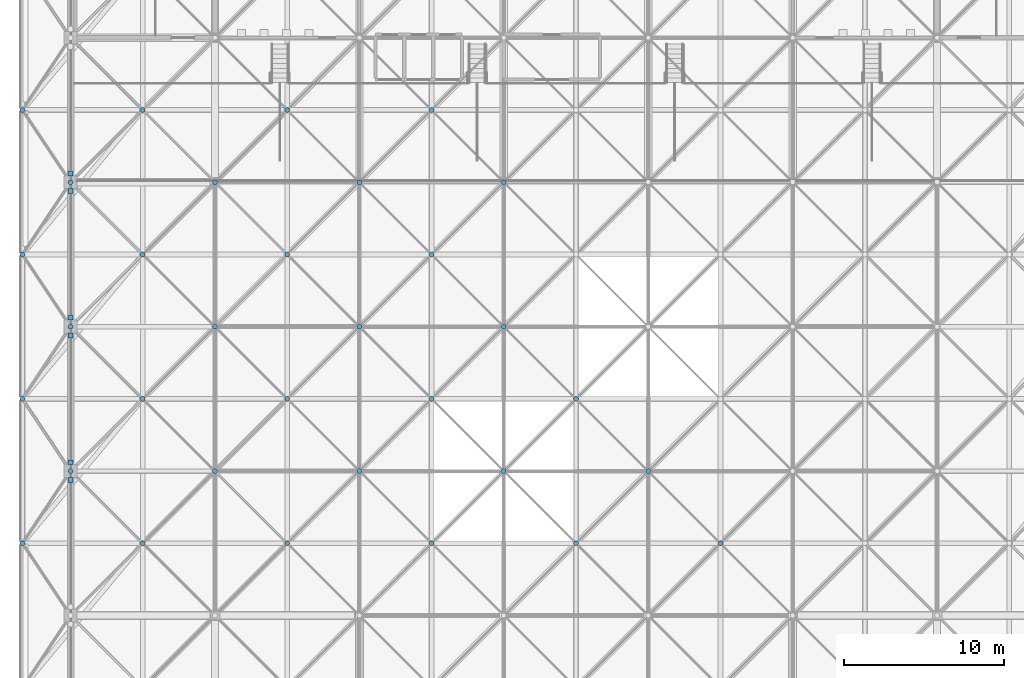
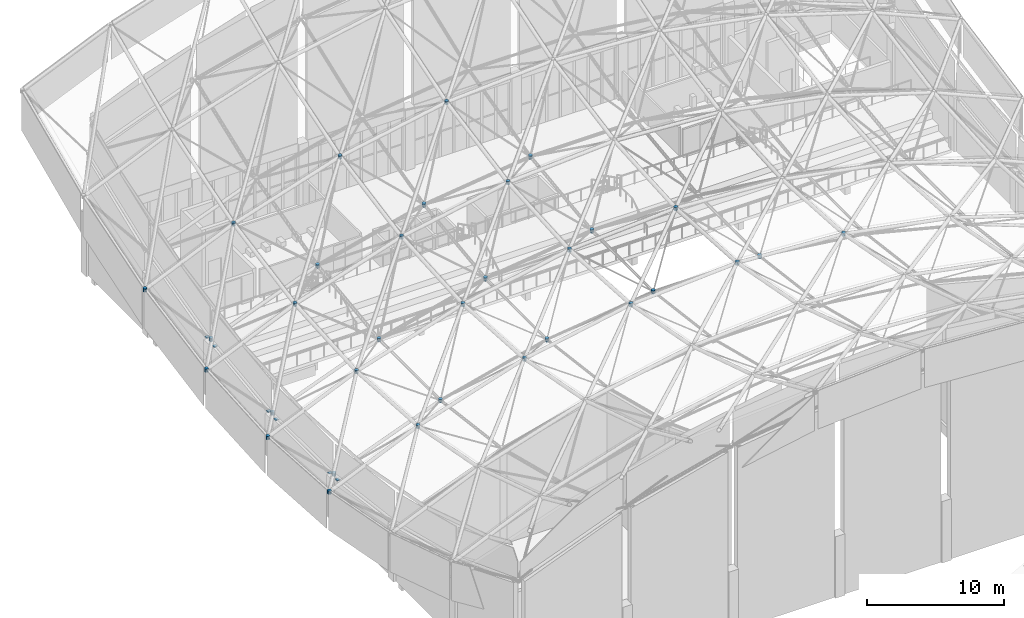
# One storey, part 379 of 437: 38 discrete accessories.
"""IFC4 building model written with IfcOpenShell, lengths in metres."""

from ifc_helpers import new_model, si_unit, direction, frame, origin, origin_2d, place, context, subcontext, project, spatial, polyline, rectangle, outline, extrude, material, layer, layer_set, type_object, element, save


model = new_model("IFC4")

# Units and contexts
model_context = context("Model", 3, precision=1e-05, world=origin(), true_north=direction((0.0, 1.0)))
body_context = subcontext(model_context, "Body", "Model", "MODEL_VIEW")
ifc_project = project(units=[si_unit("LENGTHUNIT", "METRE"), si_unit("AREAUNIT", "SQUARE_METRE"), si_unit("VOLUMEUNIT", "CUBIC_METRE"), si_unit("PLANEANGLEUNIT", "RADIAN"), si_unit("MASSUNIT", "GRAM", prefix="KILO")], contexts=[model_context])

# Site, building, storey
site_placement = place(None, origin())
site = spatial("IfcSite", under=ifc_project, at=site_placement, CompositionType="ELEMENT")
building_placement = place(site_placement, origin())
building = spatial("IfcBuilding", under=site, at=building_placement, Name="Opaline Strait Convention Centre", CompositionType="ELEMENT")
storey_placement = place(building_placement, frame((0.0, 0.0, 11.5)))
storey = spatial("IfcBuildingStorey", under=building, at=storey_placement, Name="L02", CompositionType="ELEMENT", Elevation=11.5)

# Discrete accessories
ifc_material_1 = material(Name="Steel Q355B", Category="steel")
ifc_layer = layer(ifc_material_1, 0.02001953125)
ifc_layer_set = layer_set([ifc_layer], Name="Steel Q355B")
discrete_accessory_type_1 = type_object("IfcDiscreteAccessoryType", Name="Cast-in anchor plate 300 x 300 x 20", PredefinedType="ANCHORPLATE", material=ifc_layer_set)
for number, where, z_axis, x_axis, name in (
    (1, (9.0, 143.4501953125, 3.671875), (0.0, 0.0, 1.0), (1.0, 0.0, 0.0), "Cast-in anchor plate at PWB1 web 1-4ac"),
    (2, (9.0, 144.5498046875, 3.608642578125), (0.0, 0.0, 1.0), (1.0, 0.0, 0.0), "Cast-in anchor plate at PWB1 web 1-4ad"),
    (3, (9.0, 152.4501953125, 3.608642578125), (0.0, 0.0, 1.0), (1.0, 0.0, 0.0), "Cast-in anchor plate at PWB1 web 1-5ac"),
    (4, (9.0, 153.5498046875, 3.671875), (0.0, 0.0, 1.0), (1.0, 0.0, 0.0), "Cast-in anchor plate at PWB1 web 1-5ad"),
    (5, (9.0, 161.4501953125, 4.70068359375), (0.0, 0.0, 1.0), (1.0, 0.0, 0.0), "Cast-in anchor plate at PWB1 web 1-6ac"),
    (6, (9.0, 162.5498046875, 4.854736328125), (0.0, 0.0, 1.0), (1.0, 0.0, 0.0), "Cast-in anchor plate at PWB1 web 1-6ad"),
):
    element("IfcDiscreteAccessory", number, at=place(storey_placement, frame(where, z_axis=z_axis, x_axis=x_axis)), inside=storey, type_object=discrete_accessory_type_1, Name=name, PredefinedType="ANCHORPLATE", context=body_context, shape_type="SweptSolid", body=[
        extrude(rectangle(XDim=0.300048828125, YDim=0.300048828125, at=origin_2d()), origin(), (0.0, 0.0, 1.0), 0.02001953125),
    ])
ifc_material_2 = material(Name="Cast steel ZG300-500H (300 MPa)", Category="steel")
discrete_accessory_type_2 = type_object("IfcDiscreteAccessoryType", Name="Shell node hub D300 cast steel", PredefinedType="USERDEFINED", material=ifc_material_2)
discrete_accessory_1_placement = place(storey_placement, frame((0.0, 0.0, 3.682861328125)))
element("IfcDiscreteAccessory", 7, at=discrete_accessory_1_placement, inside=storey, type_object=discrete_accessory_type_2, Name="PNH1 node hub B1-4", ObjectType="NODE HUB", PredefinedType="USERDEFINED", context=body_context, shape_type="SweptSolid", body=[
    extrude(outline(polyline([(9.14990234375, 144.02978515625), (9.127197265625, 144.0849609375), (9.0849609375, 144.127197265625), (9.02978515625, 144.14990234375), (8.97021484375, 144.14990234375), (8.9150390625, 144.127197265625), (8.872802734375, 144.0849609375), (8.85009765625, 144.02978515625), (8.85009765625, 143.97021484375), (8.872802734375, 143.9150390625), (8.9150390625, 143.872802734375), (8.97021484375, 143.85009765625), (9.02978515625, 143.85009765625), (9.0849609375, 143.872802734375), (9.127197265625, 143.9150390625), (9.14990234375, 143.97021484375), (9.14990234375, 144.02978515625)])), origin(), (0.0, 0.0, 1.0), 0.31005859375),
])
discrete_accessory_2_placement = place(storey_placement, frame((0.0, 0.0, 3.682861328125)))
element("IfcDiscreteAccessory", 8, at=discrete_accessory_2_placement, inside=storey, type_object=discrete_accessory_type_2, Name="PNH1 node hub B1-5", ObjectType="NODE HUB", PredefinedType="USERDEFINED", context=body_context, shape_type="SweptSolid", body=[
    extrude(outline(polyline([(9.14990234375, 153.02978515625), (9.127197265625, 153.0849609375), (9.0849609375, 153.127197265625), (9.02978515625, 153.14990234375), (8.97021484375, 153.14990234375), (8.9150390625, 153.127197265625), (8.872802734375, 153.0849609375), (8.85009765625, 153.02978515625), (8.85009765625, 152.97021484375), (8.872802734375, 152.9150390625), (8.9150390625, 152.872802734375), (8.97021484375, 152.85009765625), (9.02978515625, 152.85009765625), (9.0849609375, 152.872802734375), (9.127197265625, 152.9150390625), (9.14990234375, 152.97021484375), (9.14990234375, 153.02978515625)])), origin(), (0.0, 0.0, 1.0), 0.31005859375),
])
discrete_accessory_3_placement = place(storey_placement, frame((0.0, 0.0, 4.82568359375)))
element("IfcDiscreteAccessory", 9, at=discrete_accessory_3_placement, inside=storey, type_object=discrete_accessory_type_2, Name="PNH1 node hub B1-6", ObjectType="NODE HUB", PredefinedType="USERDEFINED", context=body_context, shape_type="SweptSolid", body=[
    extrude(outline(polyline([(9.14990234375, 162.02978515625), (9.127197265625, 162.0849609375), (9.0849609375, 162.127197265625), (9.02978515625, 162.14990234375), (8.97021484375, 162.14990234375), (8.9150390625, 162.127197265625), (8.872802734375, 162.0849609375), (8.85009765625, 162.02978515625), (8.85009765625, 161.97021484375), (8.872802734375, 161.9150390625), (8.9150390625, 161.872802734375), (8.97021484375, 161.85009765625), (9.02978515625, 161.85009765625), (9.0849609375, 161.872802734375), (9.127197265625, 161.9150390625), (9.14990234375, 161.97021484375), (9.14990234375, 162.02978515625)])), origin(), (0.0, 0.0, 1.0), 0.31005859375),
])
discrete_accessory_4_placement = place(storey_placement, frame((0.0, 0.0, 7.111328125)))
element("IfcDiscreteAccessory", 10, at=discrete_accessory_4_placement, inside=storey, type_object=discrete_accessory_type_2, Name="PNH1 node hub B2-4", ObjectType="NODE HUB", PredefinedType="USERDEFINED", context=body_context, shape_type="SweptSolid", body=[
    extrude(outline(polyline([(18.14990234375, 144.02978515625), (18.127197265625, 144.0849609375), (18.0849609375, 144.127197265625), (18.02978515625, 144.14990234375), (17.97021484375, 144.14990234375), (17.9150390625, 144.127197265625), (17.872802734375, 144.0849609375), (17.85009765625, 144.02978515625), (17.85009765625, 143.97021484375), (17.872802734375, 143.9150390625), (17.9150390625, 143.872802734375), (17.97021484375, 143.85009765625), (18.02978515625, 143.85009765625), (18.0849609375, 143.872802734375), (18.127197265625, 143.9150390625), (18.14990234375, 143.97021484375), (18.14990234375, 144.02978515625)])), origin(), (0.0, 0.0, 1.0), 0.31005859375),
])
discrete_accessory_5_placement = place(storey_placement, frame((0.0, 0.0, 7.111328125)))
element("IfcDiscreteAccessory", 11, at=discrete_accessory_5_placement, inside=storey, type_object=discrete_accessory_type_2, Name="PNH1 node hub B2-5", ObjectType="NODE HUB", PredefinedType="USERDEFINED", context=body_context, shape_type="SweptSolid", body=[
    extrude(outline(polyline([(18.14990234375, 153.02978515625), (18.127197265625, 153.0849609375), (18.0849609375, 153.127197265625), (18.02978515625, 153.14990234375), (17.97021484375, 153.14990234375), (17.9150390625, 153.127197265625), (17.872802734375, 153.0849609375), (17.85009765625, 153.02978515625), (17.85009765625, 152.97021484375), (17.872802734375, 152.9150390625), (17.9150390625, 152.872802734375), (17.97021484375, 152.85009765625), (18.02978515625, 152.85009765625), (18.0849609375, 152.872802734375), (18.127197265625, 152.9150390625), (18.14990234375, 152.97021484375), (18.14990234375, 153.02978515625)])), origin(), (0.0, 0.0, 1.0), 0.31005859375),
])
discrete_accessory_6_placement = place(storey_placement, frame((0.0, 0.0, 8.25439453125)))
element("IfcDiscreteAccessory", 12, at=discrete_accessory_6_placement, inside=storey, type_object=discrete_accessory_type_2, Name="PNH1 node hub B2-6", ObjectType="NODE HUB", PredefinedType="USERDEFINED", context=body_context, shape_type="SweptSolid", body=[
    extrude(outline(polyline([(18.14990234375, 162.02978515625), (18.127197265625, 162.0849609375), (18.0849609375, 162.127197265625), (18.02978515625, 162.14990234375), (17.97021484375, 162.14990234375), (17.9150390625, 162.127197265625), (17.872802734375, 162.0849609375), (17.85009765625, 162.02978515625), (17.85009765625, 161.97021484375), (17.872802734375, 161.9150390625), (17.9150390625, 161.872802734375), (17.97021484375, 161.85009765625), (18.02978515625, 161.85009765625), (18.0849609375, 161.872802734375), (18.127197265625, 161.9150390625), (18.14990234375, 161.97021484375), (18.14990234375, 162.02978515625)])), origin(), (0.0, 0.0, 1.0), 0.309814453125),
])
discrete_accessory_7_placement = place(storey_placement, frame((0.0, 0.0, 9.397216796875)))
element("IfcDiscreteAccessory", 13, at=discrete_accessory_7_placement, inside=storey, type_object=discrete_accessory_type_2, Name="PNH1 node hub B3-4", ObjectType="NODE HUB", PredefinedType="USERDEFINED", context=body_context, shape_type="SweptSolid", body=[
    extrude(outline(polyline([(27.14990234375, 144.02978515625), (27.127197265625, 144.0849609375), (27.0849609375, 144.127197265625), (27.02978515625, 144.14990234375), (26.97021484375, 144.14990234375), (26.9150390625, 144.127197265625), (26.872802734375, 144.0849609375), (26.85009765625, 144.02978515625), (26.85009765625, 143.97021484375), (26.872802734375, 143.9150390625), (26.9150390625, 143.872802734375), (26.97021484375, 143.85009765625), (27.02978515625, 143.85009765625), (27.0849609375, 143.872802734375), (27.127197265625, 143.9150390625), (27.14990234375, 143.97021484375), (27.14990234375, 144.02978515625)])), origin(), (0.0, 0.0, 1.0), 0.309814453125),
])
discrete_accessory_8_placement = place(storey_placement, frame((0.0, 0.0, 9.397216796875)))
element("IfcDiscreteAccessory", 14, at=discrete_accessory_8_placement, inside=storey, type_object=discrete_accessory_type_2, Name="PNH1 node hub B3-5", ObjectType="NODE HUB", PredefinedType="USERDEFINED", context=body_context, shape_type="SweptSolid", body=[
    extrude(outline(polyline([(27.14990234375, 153.02978515625), (27.127197265625, 153.0849609375), (27.0849609375, 153.127197265625), (27.02978515625, 153.14990234375), (26.97021484375, 153.14990234375), (26.9150390625, 153.127197265625), (26.872802734375, 153.0849609375), (26.85009765625, 153.02978515625), (26.85009765625, 152.97021484375), (26.872802734375, 152.9150390625), (26.9150390625, 152.872802734375), (26.97021484375, 152.85009765625), (27.02978515625, 152.85009765625), (27.0849609375, 152.872802734375), (27.127197265625, 152.9150390625), (27.14990234375, 152.97021484375), (27.14990234375, 153.02978515625)])), origin(), (0.0, 0.0, 1.0), 0.309814453125),
])
discrete_accessory_9_placement = place(storey_placement, frame((0.0, 0.0, 10.5400390625)))
element("IfcDiscreteAccessory", 15, at=discrete_accessory_9_placement, inside=storey, type_object=discrete_accessory_type_2, Name="PNH1 node hub B3-6", ObjectType="NODE HUB", PredefinedType="USERDEFINED", context=body_context, shape_type="SweptSolid", body=[
    extrude(outline(polyline([(27.14990234375, 162.02978515625), (27.127197265625, 162.0849609375), (27.0849609375, 162.127197265625), (27.02978515625, 162.14990234375), (26.97021484375, 162.14990234375), (26.9150390625, 162.127197265625), (26.872802734375, 162.0849609375), (26.85009765625, 162.02978515625), (26.85009765625, 161.97021484375), (26.872802734375, 161.9150390625), (26.9150390625, 161.872802734375), (26.97021484375, 161.85009765625), (27.02978515625, 161.85009765625), (27.0849609375, 161.872802734375), (27.127197265625, 161.9150390625), (27.14990234375, 161.97021484375), (27.14990234375, 162.02978515625)])), origin(), (0.0, 0.0, 1.0), 0.31005859375),
])
discrete_accessory_10_placement = place(storey_placement, frame((0.0, 0.0, 10.5400390625)))
element("IfcDiscreteAccessory", 16, at=discrete_accessory_10_placement, inside=storey, type_object=discrete_accessory_type_2, Name="PNH1 node hub B4-4", ObjectType="NODE HUB", PredefinedType="USERDEFINED", context=body_context, shape_type="SweptSolid", body=[
    extrude(outline(polyline([(36.14990234375, 144.02978515625), (36.127197265625, 144.0849609375), (36.0849609375, 144.127197265625), (36.02978515625, 144.14990234375), (35.97021484375, 144.14990234375), (35.9150390625, 144.127197265625), (35.872802734375, 144.0849609375), (35.85009765625, 144.02978515625), (35.85009765625, 143.97021484375), (35.872802734375, 143.9150390625), (35.9150390625, 143.872802734375), (35.97021484375, 143.85009765625), (36.02978515625, 143.85009765625), (36.0849609375, 143.872802734375), (36.127197265625, 143.9150390625), (36.14990234375, 143.97021484375), (36.14990234375, 144.02978515625)])), origin(), (0.0, 0.0, 1.0), 0.31005859375),
])
discrete_accessory_11_placement = place(storey_placement, frame((0.0, 0.0, 10.5400390625)))
element("IfcDiscreteAccessory", 17, at=discrete_accessory_11_placement, inside=storey, type_object=discrete_accessory_type_2, Name="PNH1 node hub B4-5", ObjectType="NODE HUB", PredefinedType="USERDEFINED", context=body_context, shape_type="SweptSolid", body=[
    extrude(outline(polyline([(36.14990234375, 153.02978515625), (36.127197265625, 153.0849609375), (36.0849609375, 153.127197265625), (36.02978515625, 153.14990234375), (35.97021484375, 153.14990234375), (35.9150390625, 153.127197265625), (35.872802734375, 153.0849609375), (35.85009765625, 153.02978515625), (35.85009765625, 152.97021484375), (35.872802734375, 152.9150390625), (35.9150390625, 152.872802734375), (35.97021484375, 152.85009765625), (36.02978515625, 152.85009765625), (36.0849609375, 152.872802734375), (36.127197265625, 152.9150390625), (36.14990234375, 152.97021484375), (36.14990234375, 153.02978515625)])), origin(), (0.0, 0.0, 1.0), 0.31005859375),
])
discrete_accessory_12_placement = place(storey_placement, frame((0.0, 0.0, 11.682861328125)))
element("IfcDiscreteAccessory", 18, at=discrete_accessory_12_placement, inside=storey, type_object=discrete_accessory_type_2, Name="PNH1 node hub B4-6", ObjectType="NODE HUB", PredefinedType="USERDEFINED", context=body_context, shape_type="SweptSolid", body=[
    extrude(outline(polyline([(36.14990234375, 162.02978515625), (36.127197265625, 162.0849609375), (36.0849609375, 162.127197265625), (36.02978515625, 162.14990234375), (35.97021484375, 162.14990234375), (35.9150390625, 162.127197265625), (35.872802734375, 162.0849609375), (35.85009765625, 162.02978515625), (35.85009765625, 161.97021484375), (35.872802734375, 161.9150390625), (35.9150390625, 161.872802734375), (35.97021484375, 161.85009765625), (36.02978515625, 161.85009765625), (36.0849609375, 161.872802734375), (36.127197265625, 161.9150390625), (36.14990234375, 161.97021484375), (36.14990234375, 162.02978515625)])), origin(), (0.0, 0.0, 1.0), 0.31005859375),
])
discrete_accessory_13_placement = place(storey_placement, frame((0.0, 0.0, 10.5400390625)))
element("IfcDiscreteAccessory", 19, at=discrete_accessory_13_placement, inside=storey, type_object=discrete_accessory_type_2, Name="PNH1 node hub B5-4", ObjectType="NODE HUB", PredefinedType="USERDEFINED", context=body_context, shape_type="SweptSolid", body=[
    extrude(outline(polyline([(45.14990234375, 144.02978515625), (45.127197265625, 144.0849609375), (45.0849609375, 144.127197265625), (45.02978515625, 144.14990234375), (44.97021484375, 144.14990234375), (44.9150390625, 144.127197265625), (44.872802734375, 144.0849609375), (44.85009765625, 144.02978515625), (44.85009765625, 143.97021484375), (44.872802734375, 143.9150390625), (44.9150390625, 143.872802734375), (44.97021484375, 143.85009765625), (45.02978515625, 143.85009765625), (45.0849609375, 143.872802734375), (45.127197265625, 143.9150390625), (45.14990234375, 143.97021484375), (45.14990234375, 144.02978515625)])), origin(), (0.0, 0.0, 1.0), 0.31005859375),
])
discrete_accessory_14_placement = place(storey_placement, frame((0.0, 0.0, 5.864501953125)))
element("IfcDiscreteAccessory", 20, at=discrete_accessory_14_placement, inside=storey, type_object=discrete_accessory_type_2, Name="PNH1 node hub T1-4", ObjectType="NODE HUB", PredefinedType="USERDEFINED", context=body_context, shape_type="SweptSolid", body=[
    extrude(outline(polyline([(6.14990234375, 139.52978515625), (6.127197265625, 139.5849609375), (6.0849609375, 139.627197265625), (6.02978515625, 139.64990234375), (5.97021484375, 139.64990234375), (5.9150390625, 139.627197265625), (5.872802734375, 139.5849609375), (5.85009765625, 139.52978515625), (5.85009765625, 139.47021484375), (5.872802734375, 139.4150390625), (5.9150390625, 139.372802734375), (5.97021484375, 139.35009765625), (6.02978515625, 139.35009765625), (6.0849609375, 139.372802734375), (6.127197265625, 139.4150390625), (6.14990234375, 139.47021484375), (6.14990234375, 139.52978515625)])), origin(), (0.0, 0.0, 1.0), 0.31005859375),
])
discrete_accessory_15_placement = place(storey_placement, frame((0.0, 0.0, 5.293212890625)))
element("IfcDiscreteAccessory", 21, at=discrete_accessory_15_placement, inside=storey, type_object=discrete_accessory_type_2, Name="PNH1 node hub T1-5", ObjectType="NODE HUB", PredefinedType="USERDEFINED", context=body_context, shape_type="SweptSolid", body=[
    extrude(outline(polyline([(6.14990234375, 148.52978515625), (6.127197265625, 148.5849609375), (6.0849609375, 148.627197265625), (6.02978515625, 148.64990234375), (5.97021484375, 148.64990234375), (5.9150390625, 148.627197265625), (5.872802734375, 148.5849609375), (5.85009765625, 148.52978515625), (5.85009765625, 148.47021484375), (5.872802734375, 148.4150390625), (5.9150390625, 148.372802734375), (5.97021484375, 148.35009765625), (6.02978515625, 148.35009765625), (6.0849609375, 148.372802734375), (6.127197265625, 148.4150390625), (6.14990234375, 148.47021484375), (6.14990234375, 148.52978515625)])), origin(), (0.0, 0.0, 1.0), 0.31005859375),
])
discrete_accessory_16_placement = place(storey_placement, frame((0.0, 0.0, 5.864501953125)))
element("IfcDiscreteAccessory", 22, at=discrete_accessory_16_placement, inside=storey, type_object=discrete_accessory_type_2, Name="PNH1 node hub T1-6", ObjectType="NODE HUB", PredefinedType="USERDEFINED", context=body_context, shape_type="SweptSolid", body=[
    extrude(outline(polyline([(6.14990234375, 157.52978515625), (6.127197265625, 157.5849609375), (6.0849609375, 157.627197265625), (6.02978515625, 157.64990234375), (5.97021484375, 157.64990234375), (5.9150390625, 157.627197265625), (5.872802734375, 157.5849609375), (5.85009765625, 157.52978515625), (5.85009765625, 157.47021484375), (5.872802734375, 157.4150390625), (5.9150390625, 157.372802734375), (5.97021484375, 157.35009765625), (6.02978515625, 157.35009765625), (6.0849609375, 157.372802734375), (6.127197265625, 157.4150390625), (6.14990234375, 157.47021484375), (6.14990234375, 157.52978515625)])), origin(), (0.0, 0.0, 1.0), 0.31005859375),
])
discrete_accessory_17_placement = place(storey_placement, frame((0.0, 0.0, 7.578857421875)))
element("IfcDiscreteAccessory", 23, at=discrete_accessory_17_placement, inside=storey, type_object=discrete_accessory_type_2, Name="PNH1 node hub T1-7", ObjectType="NODE HUB", PredefinedType="USERDEFINED", context=body_context, shape_type="SweptSolid", body=[
    extrude(outline(polyline([(6.14990234375, 166.52978515625), (6.127197265625, 166.5849609375), (6.0849609375, 166.627197265625), (6.02978515625, 166.64990234375), (5.97021484375, 166.64990234375), (5.9150390625, 166.627197265625), (5.872802734375, 166.5849609375), (5.85009765625, 166.52978515625), (5.85009765625, 166.47021484375), (5.872802734375, 166.4150390625), (5.9150390625, 166.372802734375), (5.97021484375, 166.35009765625), (6.02978515625, 166.35009765625), (6.0849609375, 166.372802734375), (6.127197265625, 166.4150390625), (6.14990234375, 166.47021484375), (6.14990234375, 166.52978515625)])), origin(), (0.0, 0.0, 1.0), 0.31005859375),
])
discrete_accessory_18_placement = place(storey_placement, frame((0.0, 0.0, 9.11865234375)))
element("IfcDiscreteAccessory", 24, at=discrete_accessory_18_placement, inside=storey, type_object=discrete_accessory_type_2, Name="PNH1 node hub T2-4", ObjectType="NODE HUB", PredefinedType="USERDEFINED", context=body_context, shape_type="SweptSolid", body=[
    extrude(outline(polyline([(13.64990234375, 139.52978515625), (13.627197265625, 139.5849609375), (13.5849609375, 139.627197265625), (13.52978515625, 139.64990234375), (13.47021484375, 139.64990234375), (13.4150390625, 139.627197265625), (13.372802734375, 139.5849609375), (13.35009765625, 139.52978515625), (13.35009765625, 139.47021484375), (13.372802734375, 139.4150390625), (13.4150390625, 139.372802734375), (13.47021484375, 139.35009765625), (13.52978515625, 139.35009765625), (13.5849609375, 139.372802734375), (13.627197265625, 139.4150390625), (13.64990234375, 139.47021484375), (13.64990234375, 139.52978515625)])), origin(), (0.0, 0.0, 1.0), 0.31005859375),
])
discrete_accessory_19_placement = place(storey_placement, frame((0.0, 0.0, 8.547119140625)))
element("IfcDiscreteAccessory", 25, at=discrete_accessory_19_placement, inside=storey, type_object=discrete_accessory_type_2, Name="PNH1 node hub T2-5", ObjectType="NODE HUB", PredefinedType="USERDEFINED", context=body_context, shape_type="SweptSolid", body=[
    extrude(outline(polyline([(13.64990234375, 148.52978515625), (13.627197265625, 148.5849609375), (13.5849609375, 148.627197265625), (13.52978515625, 148.64990234375), (13.47021484375, 148.64990234375), (13.4150390625, 148.627197265625), (13.372802734375, 148.5849609375), (13.35009765625, 148.52978515625), (13.35009765625, 148.47021484375), (13.372802734375, 148.4150390625), (13.4150390625, 148.372802734375), (13.47021484375, 148.35009765625), (13.52978515625, 148.35009765625), (13.5849609375, 148.372802734375), (13.627197265625, 148.4150390625), (13.64990234375, 148.47021484375), (13.64990234375, 148.52978515625)])), origin(), (0.0, 0.0, 1.0), 0.31005859375),
])
discrete_accessory_20_placement = place(storey_placement, frame((0.0, 0.0, 9.11865234375)))
element("IfcDiscreteAccessory", 26, at=discrete_accessory_20_placement, inside=storey, type_object=discrete_accessory_type_2, Name="PNH1 node hub T2-6", ObjectType="NODE HUB", PredefinedType="USERDEFINED", context=body_context, shape_type="SweptSolid", body=[
    extrude(outline(polyline([(13.64990234375, 157.52978515625), (13.627197265625, 157.5849609375), (13.5849609375, 157.627197265625), (13.52978515625, 157.64990234375), (13.47021484375, 157.64990234375), (13.4150390625, 157.627197265625), (13.372802734375, 157.5849609375), (13.35009765625, 157.52978515625), (13.35009765625, 157.47021484375), (13.372802734375, 157.4150390625), (13.4150390625, 157.372802734375), (13.47021484375, 157.35009765625), (13.52978515625, 157.35009765625), (13.5849609375, 157.372802734375), (13.627197265625, 157.4150390625), (13.64990234375, 157.47021484375), (13.64990234375, 157.52978515625)])), origin(), (0.0, 0.0, 1.0), 0.31005859375),
])
discrete_accessory_21_placement = place(storey_placement, frame((0.0, 0.0, 10.8330078125)))
element("IfcDiscreteAccessory", 27, at=discrete_accessory_21_placement, inside=storey, type_object=discrete_accessory_type_2, Name="PNH1 node hub T2-7", ObjectType="NODE HUB", PredefinedType="USERDEFINED", context=body_context, shape_type="SweptSolid", body=[
    extrude(outline(polyline([(13.64990234375, 166.52978515625), (13.627197265625, 166.5849609375), (13.5849609375, 166.627197265625), (13.52978515625, 166.64990234375), (13.47021484375, 166.64990234375), (13.4150390625, 166.627197265625), (13.372802734375, 166.5849609375), (13.35009765625, 166.52978515625), (13.35009765625, 166.47021484375), (13.372802734375, 166.4150390625), (13.4150390625, 166.372802734375), (13.47021484375, 166.35009765625), (13.52978515625, 166.35009765625), (13.5849609375, 166.372802734375), (13.627197265625, 166.4150390625), (13.64990234375, 166.47021484375), (13.64990234375, 166.52978515625)])), origin(), (0.0, 0.0, 1.0), 0.309814453125),
])
discrete_accessory_22_placement = place(storey_placement, frame((0.0, 0.0, 11.9755859375)))
element("IfcDiscreteAccessory", 28, at=discrete_accessory_22_placement, inside=storey, type_object=discrete_accessory_type_2, Name="PNH1 node hub T3-4", ObjectType="NODE HUB", PredefinedType="USERDEFINED", context=body_context, shape_type="SweptSolid", body=[
    extrude(outline(polyline([(22.64990234375, 139.52978515625), (22.627197265625, 139.5849609375), (22.5849609375, 139.627197265625), (22.52978515625, 139.64990234375), (22.47021484375, 139.64990234375), (22.4150390625, 139.627197265625), (22.372802734375, 139.5849609375), (22.35009765625, 139.52978515625), (22.35009765625, 139.47021484375), (22.372802734375, 139.4150390625), (22.4150390625, 139.372802734375), (22.47021484375, 139.35009765625), (22.52978515625, 139.35009765625), (22.5849609375, 139.372802734375), (22.627197265625, 139.4150390625), (22.64990234375, 139.47021484375), (22.64990234375, 139.52978515625)])), origin(), (0.0, 0.0, 1.0), 0.31005859375),
])
discrete_accessory_23_placement = place(storey_placement, frame((0.0, 0.0, 11.404296875)))
element("IfcDiscreteAccessory", 29, at=discrete_accessory_23_placement, inside=storey, type_object=discrete_accessory_type_2, Name="PNH1 node hub T3-5", ObjectType="NODE HUB", PredefinedType="USERDEFINED", context=body_context, shape_type="SweptSolid", body=[
    extrude(outline(polyline([(22.64990234375, 148.52978515625), (22.627197265625, 148.5849609375), (22.5849609375, 148.627197265625), (22.52978515625, 148.64990234375), (22.47021484375, 148.64990234375), (22.4150390625, 148.627197265625), (22.372802734375, 148.5849609375), (22.35009765625, 148.52978515625), (22.35009765625, 148.47021484375), (22.372802734375, 148.4150390625), (22.4150390625, 148.372802734375), (22.47021484375, 148.35009765625), (22.52978515625, 148.35009765625), (22.5849609375, 148.372802734375), (22.627197265625, 148.4150390625), (22.64990234375, 148.47021484375), (22.64990234375, 148.52978515625)])), origin(), (0.0, 0.0, 1.0), 0.31005859375),
])
discrete_accessory_24_placement = place(storey_placement, frame((0.0, 0.0, 11.9755859375)))
element("IfcDiscreteAccessory", 30, at=discrete_accessory_24_placement, inside=storey, type_object=discrete_accessory_type_2, Name="PNH1 node hub T3-6", ObjectType="NODE HUB", PredefinedType="USERDEFINED", context=body_context, shape_type="SweptSolid", body=[
    extrude(outline(polyline([(22.64990234375, 157.52978515625), (22.627197265625, 157.5849609375), (22.5849609375, 157.627197265625), (22.52978515625, 157.64990234375), (22.47021484375, 157.64990234375), (22.4150390625, 157.627197265625), (22.372802734375, 157.5849609375), (22.35009765625, 157.52978515625), (22.35009765625, 157.47021484375), (22.372802734375, 157.4150390625), (22.4150390625, 157.372802734375), (22.47021484375, 157.35009765625), (22.52978515625, 157.35009765625), (22.5849609375, 157.372802734375), (22.627197265625, 157.4150390625), (22.64990234375, 157.47021484375), (22.64990234375, 157.52978515625)])), origin(), (0.0, 0.0, 1.0), 0.31005859375),
])
discrete_accessory_25_placement = place(storey_placement, frame((0.0, 0.0, 13.68994140625)))
element("IfcDiscreteAccessory", 31, at=discrete_accessory_25_placement, inside=storey, type_object=discrete_accessory_type_2, Name="PNH1 node hub T3-7", ObjectType="NODE HUB", PredefinedType="USERDEFINED", context=body_context, shape_type="SweptSolid", body=[
    extrude(outline(polyline([(22.64990234375, 166.52978515625), (22.627197265625, 166.5849609375), (22.5849609375, 166.627197265625), (22.52978515625, 166.64990234375), (22.47021484375, 166.64990234375), (22.4150390625, 166.627197265625), (22.372802734375, 166.5849609375), (22.35009765625, 166.52978515625), (22.35009765625, 166.47021484375), (22.372802734375, 166.4150390625), (22.4150390625, 166.372802734375), (22.47021484375, 166.35009765625), (22.52978515625, 166.35009765625), (22.5849609375, 166.372802734375), (22.627197265625, 166.4150390625), (22.64990234375, 166.47021484375), (22.64990234375, 166.52978515625)])), origin(), (0.0, 0.0, 1.0), 0.31005859375),
])
discrete_accessory_26_placement = place(storey_placement, frame((0.0, 0.0, 13.68994140625)))
element("IfcDiscreteAccessory", 32, at=discrete_accessory_26_placement, inside=storey, type_object=discrete_accessory_type_2, Name="PNH1 node hub T4-4", ObjectType="NODE HUB", PredefinedType="USERDEFINED", context=body_context, shape_type="SweptSolid", body=[
    extrude(outline(polyline([(31.64990234375, 139.52978515625), (31.627197265625, 139.5849609375), (31.5849609375, 139.627197265625), (31.52978515625, 139.64990234375), (31.47021484375, 139.64990234375), (31.4150390625, 139.627197265625), (31.372802734375, 139.5849609375), (31.35009765625, 139.52978515625), (31.35009765625, 139.47021484375), (31.372802734375, 139.4150390625), (31.4150390625, 139.372802734375), (31.47021484375, 139.35009765625), (31.52978515625, 139.35009765625), (31.5849609375, 139.372802734375), (31.627197265625, 139.4150390625), (31.64990234375, 139.47021484375), (31.64990234375, 139.52978515625)])), origin(), (0.0, 0.0, 1.0), 0.31005859375),
])
discrete_accessory_27_placement = place(storey_placement, frame((0.0, 0.0, 13.11865234375)))
element("IfcDiscreteAccessory", 33, at=discrete_accessory_27_placement, inside=storey, type_object=discrete_accessory_type_2, Name="PNH1 node hub T4-5", ObjectType="NODE HUB", PredefinedType="USERDEFINED", context=body_context, shape_type="SweptSolid", body=[
    extrude(outline(polyline([(31.64990234375, 148.52978515625), (31.627197265625, 148.5849609375), (31.5849609375, 148.627197265625), (31.52978515625, 148.64990234375), (31.47021484375, 148.64990234375), (31.4150390625, 148.627197265625), (31.372802734375, 148.5849609375), (31.35009765625, 148.52978515625), (31.35009765625, 148.47021484375), (31.372802734375, 148.4150390625), (31.4150390625, 148.372802734375), (31.47021484375, 148.35009765625), (31.52978515625, 148.35009765625), (31.5849609375, 148.372802734375), (31.627197265625, 148.4150390625), (31.64990234375, 148.47021484375), (31.64990234375, 148.52978515625)])), origin(), (0.0, 0.0, 1.0), 0.31005859375),
])
discrete_accessory_28_placement = place(storey_placement, frame((0.0, 0.0, 13.68994140625)))
element("IfcDiscreteAccessory", 34, at=discrete_accessory_28_placement, inside=storey, type_object=discrete_accessory_type_2, Name="PNH1 node hub T4-6", ObjectType="NODE HUB", PredefinedType="USERDEFINED", context=body_context, shape_type="SweptSolid", body=[
    extrude(outline(polyline([(31.64990234375, 157.52978515625), (31.627197265625, 157.5849609375), (31.5849609375, 157.627197265625), (31.52978515625, 157.64990234375), (31.47021484375, 157.64990234375), (31.4150390625, 157.627197265625), (31.372802734375, 157.5849609375), (31.35009765625, 157.52978515625), (31.35009765625, 157.47021484375), (31.372802734375, 157.4150390625), (31.4150390625, 157.372802734375), (31.47021484375, 157.35009765625), (31.52978515625, 157.35009765625), (31.5849609375, 157.372802734375), (31.627197265625, 157.4150390625), (31.64990234375, 157.47021484375), (31.64990234375, 157.52978515625)])), origin(), (0.0, 0.0, 1.0), 0.31005859375),
])
discrete_accessory_29_placement = place(storey_placement, frame((0.0, 0.0, 15.404296875)))
element("IfcDiscreteAccessory", 35, at=discrete_accessory_29_placement, inside=storey, type_object=discrete_accessory_type_2, Name="PNH1 node hub T4-7", ObjectType="NODE HUB", PredefinedType="USERDEFINED", context=body_context, shape_type="SweptSolid", body=[
    extrude(outline(polyline([(31.64990234375, 166.52978515625), (31.627197265625, 166.5849609375), (31.5849609375, 166.627197265625), (31.52978515625, 166.64990234375), (31.47021484375, 166.64990234375), (31.4150390625, 166.627197265625), (31.372802734375, 166.5849609375), (31.35009765625, 166.52978515625), (31.35009765625, 166.47021484375), (31.372802734375, 166.4150390625), (31.4150390625, 166.372802734375), (31.47021484375, 166.35009765625), (31.52978515625, 166.35009765625), (31.5849609375, 166.372802734375), (31.627197265625, 166.4150390625), (31.64990234375, 166.47021484375), (31.64990234375, 166.52978515625)])), origin(), (0.0, 0.0, 1.0), 0.31005859375),
])
discrete_accessory_30_placement = place(storey_placement, frame((0.0, 0.0, 14.261474609375)))
element("IfcDiscreteAccessory", 36, at=discrete_accessory_30_placement, inside=storey, type_object=discrete_accessory_type_2, Name="PNH1 node hub T5-4", ObjectType="NODE HUB", PredefinedType="USERDEFINED", context=body_context, shape_type="SweptSolid", body=[
    extrude(outline(polyline([(40.64990234375, 139.52978515625), (40.627197265625, 139.5849609375), (40.5849609375, 139.627197265625), (40.52978515625, 139.64990234375), (40.47021484375, 139.64990234375), (40.4150390625, 139.627197265625), (40.372802734375, 139.5849609375), (40.35009765625, 139.52978515625), (40.35009765625, 139.47021484375), (40.372802734375, 139.4150390625), (40.4150390625, 139.372802734375), (40.47021484375, 139.35009765625), (40.52978515625, 139.35009765625), (40.5849609375, 139.372802734375), (40.627197265625, 139.4150390625), (40.64990234375, 139.47021484375), (40.64990234375, 139.52978515625)])), origin(), (0.0, 0.0, 1.0), 0.309814453125),
])
discrete_accessory_31_placement = place(storey_placement, frame((0.0, 0.0, 13.68994140625)))
element("IfcDiscreteAccessory", 37, at=discrete_accessory_31_placement, inside=storey, type_object=discrete_accessory_type_2, Name="PNH1 node hub T5-5", ObjectType="NODE HUB", PredefinedType="USERDEFINED", context=body_context, shape_type="SweptSolid", body=[
    extrude(outline(polyline([(40.64990234375, 148.52978515625), (40.627197265625, 148.5849609375), (40.5849609375, 148.627197265625), (40.52978515625, 148.64990234375), (40.47021484375, 148.64990234375), (40.4150390625, 148.627197265625), (40.372802734375, 148.5849609375), (40.35009765625, 148.52978515625), (40.35009765625, 148.47021484375), (40.372802734375, 148.4150390625), (40.4150390625, 148.372802734375), (40.47021484375, 148.35009765625), (40.52978515625, 148.35009765625), (40.5849609375, 148.372802734375), (40.627197265625, 148.4150390625), (40.64990234375, 148.47021484375), (40.64990234375, 148.52978515625)])), origin(), (0.0, 0.0, 1.0), 0.31005859375),
])
discrete_accessory_32_placement = place(storey_placement, frame((0.0, 0.0, 13.68994140625)))
element("IfcDiscreteAccessory", 38, at=discrete_accessory_32_placement, inside=storey, type_object=discrete_accessory_type_2, Name="PNH1 node hub T6-4", ObjectType="NODE HUB", PredefinedType="USERDEFINED", context=body_context, shape_type="SweptSolid", body=[
    extrude(outline(polyline([(49.64990234375, 139.52978515625), (49.627197265625, 139.5849609375), (49.5849609375, 139.627197265625), (49.52978515625, 139.64990234375), (49.47021484375, 139.64990234375), (49.4150390625, 139.627197265625), (49.372802734375, 139.5849609375), (49.35009765625, 139.52978515625), (49.35009765625, 139.47021484375), (49.372802734375, 139.4150390625), (49.4150390625, 139.372802734375), (49.47021484375, 139.35009765625), (49.52978515625, 139.35009765625), (49.5849609375, 139.372802734375), (49.627197265625, 139.4150390625), (49.64990234375, 139.47021484375), (49.64990234375, 139.52978515625)])), origin(), (0.0, 0.0, 1.0), 0.31005859375),
])

save(model, "model.ifc")
